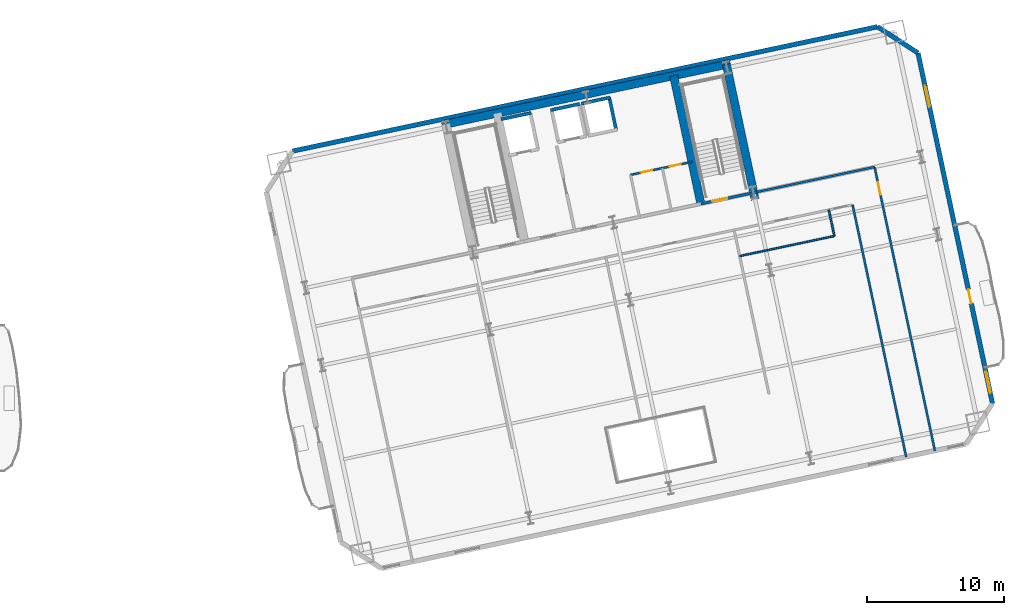
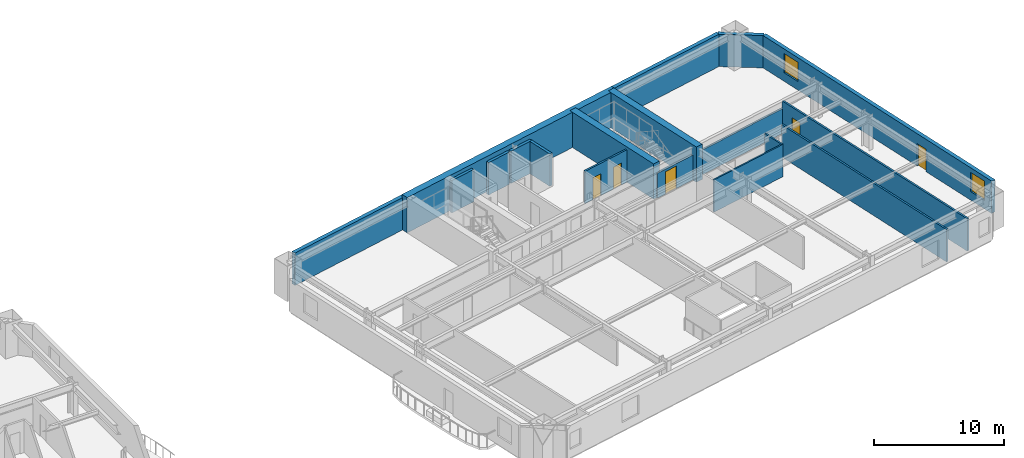
# One storey, part 9 of 15: 17 walls, 5 doors, 2 windows, 7 openings.
"""IFC4 building model written with IfcOpenShell, lengths in metres."""

from ifc_helpers import new_model, si_unit, direction, frame, frame_2d, origin, place, context, subcontext, project, spatial, rectangle, extrude, material, layer, layer_set, type_object, element, fill, save


model = new_model("IFC4")

# Units and contexts
model_context = context("Model", 3, precision=1e-05, world=origin(), true_north=direction((0.0, 1.0)))
body_context = subcontext(model_context, "Body", "Model", "MODEL_VIEW")
ifc_project = project(units=[si_unit("LENGTHUNIT", "METRE"), si_unit("AREAUNIT", "SQUARE_METRE"), si_unit("VOLUMEUNIT", "CUBIC_METRE"), si_unit("PLANEANGLEUNIT", "RADIAN"), si_unit("MASSUNIT", "GRAM", prefix="KILO")], contexts=[model_context])

# Site, building, storey
site_placement = place(None, origin())
site = spatial("IfcSite", under=ifc_project, at=site_placement, CompositionType="ELEMENT")
building_placement = place(site_placement, origin())
building = spatial("IfcBuilding", under=site, at=building_placement, Name="Haevon Station Towers", CompositionType="ELEMENT")
storey_placement = place(building_placement, frame((0.0, 0.0, 63.60009765625)))
storey = spatial("IfcBuildingStorey", under=building, at=storey_placement, Name="L16", CompositionType="ELEMENT", Elevation=63.60009765625)

# Wall, opening, door
ifc_material_1 = material(Name="Gypsum board on steel stud", Category="steel")
ifc_layer_1 = layer(ifc_material_1, 0.199951171875)
ifc_layer_set_1 = layer_set([ifc_layer_1], Name="Gypsum board on steel stud")
wall_type_1 = type_object("IfcWallType", Name="WL-COR200", PredefinedType="PARTITIONING", material=ifc_layer_set_1)
wall_1_placement = place(storey_placement, frame((115.4296875, 40.9873046875, 0.0), z_axis=(0.0, 0.0, 1.0), x_axis=(0.978146596989, 0.207916413008, 0.0)))
wall_1 = element("IfcWall", 1, at=wall_1_placement, inside=storey, type_object=wall_type_1, Name="WL-ST-ST4-L16", PredefinedType="PARTITIONING", context=body_context, shape_type="SweptSolid", body=[
    extrude(rectangle(XDim=3.9501953125, YDim=0.199951171875, at=frame_2d((1.97509765625, 0.0))), origin(), (0.0, 0.0, 1.0), 2.329833984375),
])
opening_1_placement = place(wall_1_placement, frame((0.85009765625, 0.0, 0.0)))
opening_1 = element("IfcOpeningElement", 2, at=opening_1_placement, cuts=wall_1, Name="Opening DR-ST-ST4-L16", PredefinedType="OPENING", context=body_context, shape_type="SweptSolid", body=[
    extrude(rectangle(XDim=1.1201171875, YDim=2.10009765625, at=frame_2d((0.56005859375, 1.050048828125))), frame((0.0, 0.10986328125, 0.0), z_axis=(0.0, -1.0, 0.0), x_axis=(1.0, 0.0, 0.0)), (0.0, 0.0, 1.0), 0.219970703125),
])
ifc_material_2 = material(Name="Engineered oak timber", Category="wood")
door_type_1 = type_object("IfcDoorType", Name="DR-ST-1120", OperationType="NOTDEFINED", PredefinedType="DOOR", material=ifc_material_2)
door_1_placement = place(opening_1_placement, origin())
door_1 = element("IfcDoor", 3, at=door_1_placement, inside=storey, type_object=door_type_1, Name="L16 Escape Stair ST4 Fire Door", OperationType="SINGLE_SWING_LEFT", OverallHeight=2.10009765625, OverallWidth=1.1201171875, PredefinedType="DOOR", context=body_context, shape_type="SweptSolid", body=[
    extrude(rectangle(XDim=1.1201171875, YDim=2.10009765625, at=frame_2d((0.56005859375, 1.050048828125))), frame((0.0, 0.02490234375, 0.0), z_axis=(0.0, -1.0, 0.0), x_axis=(1.0, 0.0, 0.0)), (0.0, 0.0, 1.0), 0.050048828125),
])
fill(opening_1, door_1)

# Walls
ifc_material_3 = material(Name="Concrete C60/75", Category="concrete")
ifc_layer_2 = layer(ifc_material_3, 0.60009765625)
ifc_layer_set_2 = layer_set([ifc_layer_2], Name="Concrete C60/75")
wall_type_2 = type_object("IfcWallType", Name="WL-CR600", PredefinedType="SHEAR", material=ifc_layer_set_2)
wall_2_placement = place(storey_placement, frame((96.462890625, 46.770263671875, 0.0), z_axis=(0.0, 0.0, 1.0), x_axis=(0.978147272959, 0.207913232873, 0.0)))
element("IfcWall", 4, at=wall_2_placement, inside=storey, type_object=wall_type_2, Name="WL-T2CR-L16-N", PredefinedType="SHEAR", context=body_context, shape_type="SweptSolid", body=[
    extrude(rectangle(XDim=21.60009765625, YDim=0.60009765625, at=frame_2d((10.800048828125, 0.0))), origin(), (0.0, 0.0, 1.0), 3.2998046875),
])
wall_3_placement = place(storey_placement, frame((119.401611328125, 41.2998046875, 0.0), z_axis=(0.0, 0.0, 1.0), x_axis=(-0.207904342798, 0.978149162575, 0.0)))
element("IfcWall", 5, at=wall_3_placement, inside=storey, type_object=wall_type_2, Name="WL-T2CR-L16-E", PredefinedType="SHEAR", context=body_context, shape_type="SweptSolid", body=[
    extrude(rectangle(XDim=10.1201171875, YDim=0.60009765625, at=frame_2d((5.06005859375, 0.0))), origin(), (0.0, 0.0, 1.0), 3.2998046875),
])
wall_4_placement = place(storey_placement, frame((115.4296875, 40.9873046875, 0.0), z_axis=(0.0, 0.0, 1.0), x_axis=(-0.207903162969, 0.978149413345, 0.0)))
element("IfcWall", 6, at=wall_4_placement, inside=storey, type_object=wall_type_2, Name="WL-T2CR-L16-M2", PredefinedType="SHEAR", context=body_context, shape_type="SweptSolid", body=[
    extrude(rectangle(XDim=9.599853515625, YDim=0.60009765625, at=frame_2d((4.7998046875, 0.0))), origin(), (0.0, 0.0, 1.0), 3.2998046875),
])
ifc_material_4 = material(Name="Precast concrete C45/55", Category="concrete")
ifc_layer_3 = layer(ifc_material_4, 0.340087890625)
ifc_layer_set_3 = layer_set([ifc_layer_3], Name="Precast concrete C45/55")
wall_type_3 = type_object("IfcWallType", Name="WL-EXT-PIER340", PredefinedType="SOLIDWALL", material=ifc_layer_set_3)
wall_5_placement = place(storey_placement, frame((85.5224609375, 44.853759765625, 0.0), z_axis=(0.0, 0.0, 1.0), x_axis=(0.978147913223, 0.207910220665, 0.0)))
element("IfcWall", 7, at=wall_5_placement, inside=storey, type_object=wall_type_3, Name="WL-T2-L16-N", PredefinedType="SOLIDWALL", context=body_context, shape_type="SweptSolid", body=[
    extrude(rectangle(XDim=43.7998046875, YDim=0.340087890625, at=frame_2d((21.89990234375, 0.0))), origin(), (0.0, 0.0, 1.0), 3.02978515625),
])
wall_6_placement = place(storey_placement, frame((128.365234375, 53.960205078125, 0.0), z_axis=(0.0, 0.0, 1.0), x_axis=(0.838672309694, -0.544636352948, 0.0)))
element("IfcWall", 8, at=wall_6_placement, inside=storey, type_object=wall_type_3, Name="WL-T2-L16-NEC", PredefinedType="SOLIDWALL", context=body_context, shape_type="SweptSolid", body=[
    extrude(rectangle(XDim=3.535400390625, YDim=0.340087890625, at=frame_2d((1.767578125, 0.0))), origin(), (0.0, 0.0, 1.0), 3.02978515625),
])

# Wall, openings, door, windows
wall_7_placement = place(storey_placement, frame((131.330322265625, 52.03466796875, 0.0), z_axis=(0.0, 0.0, 1.0), x_axis=(0.207913593786, -0.978147196244, 0.0)))
wall_7 = element("IfcWall", 9, at=wall_7_placement, inside=storey, type_object=wall_type_3, Name="WL-T2-L16-E", PredefinedType="SOLIDWALL", context=body_context, shape_type="SweptSolid", body=[
    extrude(rectangle(XDim=26.250244140625, YDim=0.340087890625, at=frame_2d((13.125, 0.0))), origin(), (0.0, 0.0, 1.0), 3.02978515625),
])
opening_2_placement = place(wall_7_placement, frame((17.699951171875, 0.0, 0.0)))
opening_2 = element("IfcOpeningElement", 10, at=opening_2_placement, cuts=wall_7, Name="Opening DR-T2-SCAL-L16-E", PredefinedType="OPENING", context=body_context, shape_type="SweptSolid", body=[
    extrude(rectangle(XDim=1.050048828125, YDim=2.10009765625, at=frame_2d((0.52490234375, 1.050048828125))), frame((0.0, 0.179931640625, 0.0), z_axis=(0.0, -1.0, 0.0), x_axis=(1.0, 0.0, 0.0)), (0.0, 0.0, 1.0), 0.360107421875),
])
opening_3_placement = place(wall_7_placement, frame((2.4462890625, 0.0, 0.800048828125)))
opening_3 = element("IfcOpeningElement", 11, at=opening_3_placement, cuts=wall_7, Name="Opening WN-END160", PredefinedType="OPENING", context=body_context, shape_type="SweptSolid", body=[
    extrude(rectangle(XDim=1.60009765625, YDim=1.800048828125, at=frame_2d((0.800048828125, 0.89990234375))), frame((0.0, 0.179931640625, 0.0), z_axis=(0.0, -1.0, 0.0), x_axis=(1.0, 0.0, 0.0)), (0.0, 0.0, 1.0), 0.360107421875),
])
opening_4_placement = place(wall_7_placement, frame((23.85009765625, 0.0, 0.800048828125)))
opening_4 = element("IfcOpeningElement", 12, at=opening_4_placement, cuts=wall_7, Name="Opening WN-END160", PredefinedType="OPENING", context=body_context, shape_type="SweptSolid", body=[
    extrude(rectangle(XDim=1.60009765625, YDim=1.800048828125, at=frame_2d((0.800048828125, 0.89990234375))), frame((0.0, 0.179931640625, 0.0), z_axis=(0.0, -1.0, 0.0), x_axis=(1.0, 0.0, 0.0)), (0.0, 0.0, 1.0), 0.360107421875),
])
ifc_material_5 = material(Name="Thermally broken anodised aluminium and laminated safety glass", Category="aluminium")
door_type_2 = type_object("IfcDoorType", Name="DR-BALC-1050", OperationType="NOTDEFINED", PredefinedType="DOOR", material=ifc_material_5)
door_2_placement = place(opening_2_placement, origin())
door_2 = element("IfcDoor", 13, at=door_2_placement, inside=storey, type_object=door_type_2, Name="Tower 2 L16 East Scalloped Balcony Door", OperationType="SINGLE_SWING_RIGHT", OverallHeight=2.10009765625, OverallWidth=1.050048828125, PredefinedType="DOOR", context=body_context, shape_type="SweptSolid", body=[
    extrude(rectangle(XDim=1.050048828125, YDim=2.10009765625, at=frame_2d((0.52490234375, 1.050048828125))), frame((0.0, 0.02490234375, 0.0), z_axis=(0.0, -1.0, 0.0), x_axis=(1.0, 0.0, 0.0)), (0.0, 0.0, 1.0), 0.050048828125),
])
fill(opening_2, door_2)
ifc_material_6 = material(Name="Low-E triple glazing in thermally broken aluminium", Category="aluminium")
window_type = type_object("IfcWindowType", Name="WN-END160", PartitioningType="SINGLE_PANEL", PredefinedType="WINDOW", material=ifc_material_6)
window_1_placement = place(opening_3_placement, origin())
window_1 = element("IfcWindow", 14, at=window_1_placement, inside=storey, type_object=window_type, Name="WN-T2-L16-E01", OverallHeight=1.800048828125, OverallWidth=1.60009765625, PartitioningType="SINGLE_PANEL", PredefinedType="WINDOW", context=body_context, shape_type="SweptSolid", body=[
    extrude(rectangle(XDim=1.60009765625, YDim=1.800048828125, at=frame_2d((0.800048828125, 0.89990234375))), frame((0.0, 0.030029296875, 0.0), z_axis=(0.0, -1.0, 0.0), x_axis=(1.0, 0.0, 0.0)), (0.0, 0.0, 1.0), 0.06005859375),
])
fill(opening_3, window_1)
window_2_placement = place(opening_4_placement, origin())
window_2 = element("IfcWindow", 15, at=window_2_placement, inside=storey, type_object=window_type, Name="WN-T2-L16-E02", OverallHeight=1.800048828125, OverallWidth=1.60009765625, PartitioningType="SINGLE_PANEL", PredefinedType="WINDOW", context=body_context, shape_type="SweptSolid", body=[
    extrude(rectangle(XDim=1.60009765625, YDim=1.800048828125, at=frame_2d((0.800048828125, 0.89990234375))), frame((0.0, 0.030029296875, 0.0), z_axis=(0.0, -1.0, 0.0), x_axis=(1.0, 0.0, 0.0)), (0.0, 0.0, 1.0), 0.06005859375),
])
fill(opening_4, window_2)

# Walls
ifc_layer_4 = layer(ifc_material_1, 0.125)
ifc_layer_set_4 = layer_set([ifc_layer_4], Name="Gypsum board on steel stud")
wall_type_4 = type_object("IfcWallType", Name="WL-PRT125", PredefinedType="PARTITIONING", material=ifc_layer_set_4)
wall_8_placement = place(storey_placement, frame((118.268798828125, 37.1640625, 0.0), z_axis=(0.0, 0.0, 1.0), x_axis=(0.978148870268, 0.207905718041, 0.0)))
element("IfcWall", 16, at=wall_8_placement, inside=storey, type_object=wall_type_4, Name="WL-T2PT-L16-15", PredefinedType="PARTITIONING", context=body_context, shape_type="SweptSolid", body=[
    extrude(rectangle(XDim=7.087890625, YDim=0.125, at=frame_2d((3.5439453125, 0.0))), origin(), (0.0, 0.0, 1.0), 3.02978515625),
])
ifc_layer_5 = layer(ifc_material_1, 0.139892578125)
ifc_layer_set_5 = layer_set([ifc_layer_5], Name="Gypsum board on steel stud")
wall_type_5 = type_object("IfcWallType", Name="WL-PRT140", PredefinedType="PARTITIONING", material=ifc_layer_set_5)
wall_9_placement = place(storey_placement, frame((125.201904296875, 38.6376953125, 0.0), z_axis=(0.0, 0.0, 1.0), x_axis=(-0.207947096322, 0.978140074392, 0.0)))
element("IfcWall", 17, at=wall_9_placement, inside=storey, type_object=wall_type_5, Name="WL-T2PT-L16-16", PredefinedType="PARTITIONING", context=body_context, shape_type="SweptSolid", body=[
    extrude(rectangle(XDim=1.9501953125, YDim=0.139892578125, at=frame_2d((0.97509765625, 0.0))), origin(), (0.0, 0.0, 1.0), 3.02978515625),
])

# Wall, openings, doors
ifc_layer_6 = layer(ifc_material_1, 0.159912109375)
ifc_layer_set_6 = layer_set([ifc_layer_6], Name="Gypsum board on steel stud")
wall_type_6 = type_object("IfcWallType", Name="WL-PRT160", PredefinedType="PARTITIONING", material=ifc_layer_set_6)
wall_10_placement = place(storey_placement, frame((110.275390625, 43.112060546875, 0.0), z_axis=(0.0, 0.0, 1.0), x_axis=(0.978152106073, 0.207890493732, 0.0)))
wall_10 = element("IfcWall", 18, at=wall_10_placement, inside=storey, type_object=wall_type_6, Name="WL-T2CW-L16-03", PredefinedType="PARTITIONING", context=body_context, shape_type="SweptSolid", body=[
    extrude(rectangle(XDim=4.60009765625, YDim=0.159912109375, at=frame_2d((2.300048828125, 0.0))), origin(), (0.0, 0.0, 1.0), 3.02978515625),
])
opening_5_placement = place(wall_10_placement, frame((0.784912109375, 0.0, 0.0)))
opening_5 = element("IfcOpeningElement", 19, at=opening_5_placement, cuts=wall_10, Name="Opening DR-WL-T2CW-L16-03-1", PredefinedType="OPENING", context=body_context, shape_type="SweptSolid", body=[
    extrude(rectangle(XDim=0.85009765625, YDim=2.050048828125, at=frame_2d((0.425048828125, 1.02490234375))), frame((0.0, 0.08984375, 0.0), z_axis=(0.0, -1.0, 0.0), x_axis=(1.0, 0.0, 0.0)), (0.0, 0.0, 1.0), 0.179931640625),
])
opening_6_placement = place(wall_10_placement, frame((2.905029296875, 0.0, 0.0)))
opening_6 = element("IfcOpeningElement", 20, at=opening_6_placement, cuts=wall_10, Name="Opening DR-WL-T2CW-L16-03-2", PredefinedType="OPENING", context=body_context, shape_type="SweptSolid", body=[
    extrude(rectangle(XDim=0.85009765625, YDim=2.050048828125, at=frame_2d((0.425048828125, 1.02490234375))), frame((0.0, 0.08984375, 0.0), z_axis=(0.0, -1.0, 0.0), x_axis=(1.0, 0.0, 0.0)), (0.0, 0.0, 1.0), 0.179931640625),
])
door_type_3 = type_object("IfcDoorType", Name="DR-FD30-850", OperationType="NOTDEFINED", PredefinedType="DOOR", material=ifc_material_2)
door_3_placement = place(opening_5_placement, origin())
door_3 = element("IfcDoor", 21, at=door_3_placement, inside=storey, type_object=door_type_3, Name="L16 Tower 2 Core Room Door 3-1", OperationType="SINGLE_SWING_LEFT", OverallHeight=2.050048828125, OverallWidth=0.85009765625, PredefinedType="DOOR", context=body_context, shape_type="SweptSolid", body=[
    extrude(rectangle(XDim=0.85009765625, YDim=2.050048828125, at=frame_2d((0.425048828125, 1.02490234375))), frame((0.0, 0.02490234375, 0.0), z_axis=(0.0, -1.0, 0.0), x_axis=(1.0, 0.0, 0.0)), (0.0, 0.0, 1.0), 0.050048828125),
])
fill(opening_5, door_3)
door_4_placement = place(opening_6_placement, origin())
door_4 = element("IfcDoor", 22, at=door_4_placement, inside=storey, type_object=door_type_3, Name="L16 Tower 2 Core Room Door 3-2", OperationType="SINGLE_SWING_RIGHT", OverallHeight=2.050048828125, OverallWidth=0.85009765625, PredefinedType="DOOR", context=body_context, shape_type="SweptSolid", body=[
    extrude(rectangle(XDim=0.85009765625, YDim=2.050048828125, at=frame_2d((0.425048828125, 1.02490234375))), frame((0.0, 0.02490234375, 0.0), z_axis=(0.0, -1.0, 0.0), x_axis=(1.0, 0.0, 0.0)), (0.0, 0.0, 1.0), 0.050048828125),
])
fill(opening_6, door_4)

# Walls
wall_11_placement = place(storey_placement, frame((130.460693359375, 22.45751953125, 0.0), z_axis=(0.0, 0.0, 1.0), x_axis=(-0.207903011056, 0.978149445634, 0.0)))
element("IfcWall", 23, at=wall_11_placement, inside=storey, type_object=wall_type_6, Name="WL-T2PT-L16-01", PredefinedType="PARTITIONING", context=body_context, shape_type="SweptSolid", body=[
    extrude(rectangle(XDim=18.869873046875, YDim=0.159912109375, at=frame_2d((9.43505859375, 0.0))), origin(), (0.0, 0.0, 1.0), 3.02978515625),
])
wall_12_placement = place(storey_placement, frame((119.29345703125, 41.80859375, 0.0), z_axis=(0.0, 0.0, 1.0), x_axis=(0.978148085545, 0.207909409948, 0.0)))
element("IfcWall", 24, at=wall_12_placement, inside=storey, type_object=wall_type_6, Name="WL-T2PT-L16-03", PredefinedType="PARTITIONING", context=body_context, shape_type="SweptSolid", body=[
    extrude(rectangle(XDim=9.050048828125, YDim=0.159912109375, at=frame_2d((4.52490234375, 0.0))), origin(), (0.0, 0.0, 1.0), 2.329833984375),
])

# Wall, opening, door
wall_13_placement = place(storey_placement, frame((132.563720703125, 22.904541015625, 0.0), z_axis=(0.0, 0.0, 1.0), x_axis=(-0.207904649693, 0.978149097345, 0.0)))
wall_13 = element("IfcWall", 25, at=wall_13_placement, inside=storey, type_object=wall_type_6, Name="WL-T2PT-L16-05", PredefinedType="PARTITIONING", context=body_context, shape_type="SweptSolid", body=[
    extrude(rectangle(XDim=21.25, YDim=0.159912109375, at=frame_2d((10.625, 0.0))), origin(), (0.0, 0.0, 1.0), 3.02978515625),
])
opening_7_placement = place(wall_13_placement, frame((19.18994140625, 0.0, 0.0)))
opening_7 = element("IfcOpeningElement", 26, at=opening_7_placement, cuts=wall_13, Name="Opening DR-WL-T2PT-L16-05-01", PredefinedType="OPENING", context=body_context, shape_type="SweptSolid", body=[
    extrude(rectangle(XDim=0.89990234375, YDim=2.050048828125, at=frame_2d((0.449951171875, 1.02490234375))), frame((0.0, 0.08984375, 0.0), z_axis=(0.0, -1.0, 0.0), x_axis=(1.0, 0.0, 0.0)), (0.0, 0.0, 1.0), 0.179931640625),
])
door_type_4 = type_object("IfcDoorType", Name="DR-INT-900", OperationType="NOTDEFINED", PredefinedType="DOOR", material=ifc_material_2)
door_5_placement = place(opening_7_placement, origin())
door_5 = element("IfcDoor", 27, at=door_5_placement, inside=storey, type_object=door_type_4, Name="L16 Tower 2 Room Door 5-1", OperationType="SINGLE_SWING_RIGHT", OverallHeight=2.050048828125, OverallWidth=0.89990234375, PredefinedType="DOOR", context=body_context, shape_type="SweptSolid", body=[
    extrude(rectangle(XDim=0.89990234375, YDim=2.050048828125, at=frame_2d((0.449951171875, 1.02490234375))), frame((0.0, 0.02490234375, 0.0), z_axis=(0.0, -1.0, 0.0), x_axis=(1.0, 0.0, 0.0)), (0.0, 0.0, 1.0), 0.050048828125),
])
fill(opening_7, door_5)

# Walls
ifc_material_7 = material(Name="Concrete C40/50", Category="concrete")
ifc_layer_7 = layer(ifc_material_7, 0.239990234375)
ifc_layer_set_7 = layer_set([ifc_layer_7], Name="Concrete C40/50")
wall_type_7 = type_object("IfcWallType", Name="WL-SHF240", PredefinedType="PARTITIONING", material=ifc_layer_set_7)
wall_14_placement = place(storey_placement, frame((100.79248046875, 47.179443359375, 0.0), z_axis=(0.0, 0.0, 1.0), x_axis=(0.978162968872, 0.207839376268, 0.0)))
element("IfcWall", 28, at=wall_14_placement, inside=storey, type_object=wall_type_7, Name="WL-SHF-FL2-L16-N", PredefinedType="PARTITIONING", context=body_context, shape_type="SweptSolid", body=[
    extrude(rectangle(XDim=2.260009765625, YDim=0.239990234375, at=frame_2d((1.1298828125, 0.0))), origin(), (0.0, 0.0, 1.0), 3.02978515625),
])
for number, where, z_axis, x_axis, name in (
    (29, (104.432373046875, 47.850830078125, 0.0), (0.0, 0.0, 1.0), (0.978158276388, 0.207861459473, 0.0), "WL-SHF-PL7-L16-N"),
    (30, (106.68212890625, 48.3291015625, 0.0), (0.0, 0.0, 1.0), (0.978158276388, 0.207861459473, 0.0), "WL-SHF-PL8-L16-N"),
):
    element("IfcWall", number, at=place(storey_placement, frame(where, z_axis=z_axis, x_axis=x_axis)), inside=storey, type_object=wall_type_7, Name=name, PredefinedType="PARTITIONING", context=body_context, shape_type="SweptSolid", body=[
        extrude(rectangle(XDim=2.159912109375, YDim=0.239990234375, at=frame_2d((1.080078125, 0.0))), origin(), (0.0, 0.0, 1.0), 3.02978515625),
    ])
wall_15_placement = place(storey_placement, frame((109.2158203125, 46.413818359375, 0.0), z_axis=(0.0, 0.0, 1.0), x_axis=(-0.207917150959, 0.978146440129, 0.0)))
element("IfcWall", 31, at=wall_15_placement, inside=storey, type_object=wall_type_7, Name="WL-SHF-PL8-L16-E", PredefinedType="PARTITIONING", context=body_context, shape_type="SweptSolid", body=[
    extrude(rectangle(XDim=2.400146484375, YDim=0.239990234375, at=frame_2d((1.2001953125, 0.0))), origin(), (0.0, 0.0, 1.0), 3.02978515625),
])

save(model, "model.ifc")
